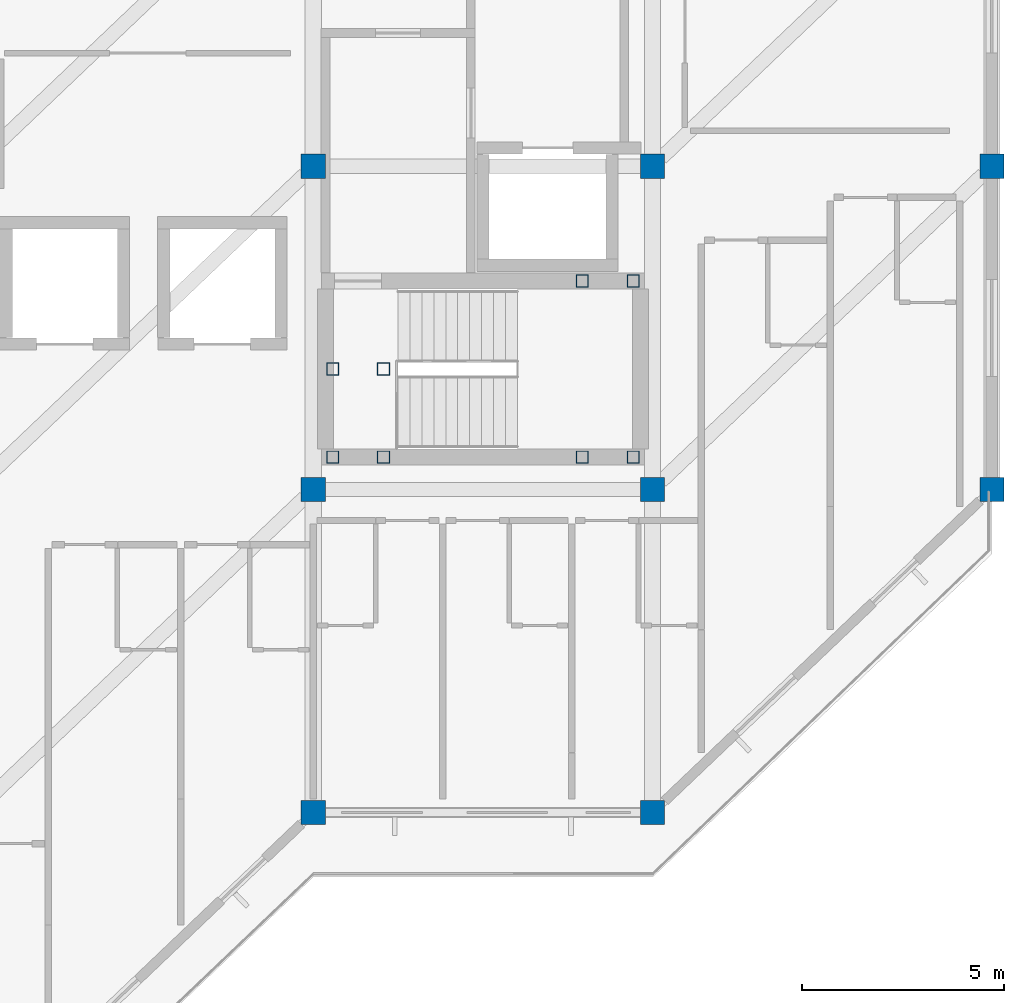
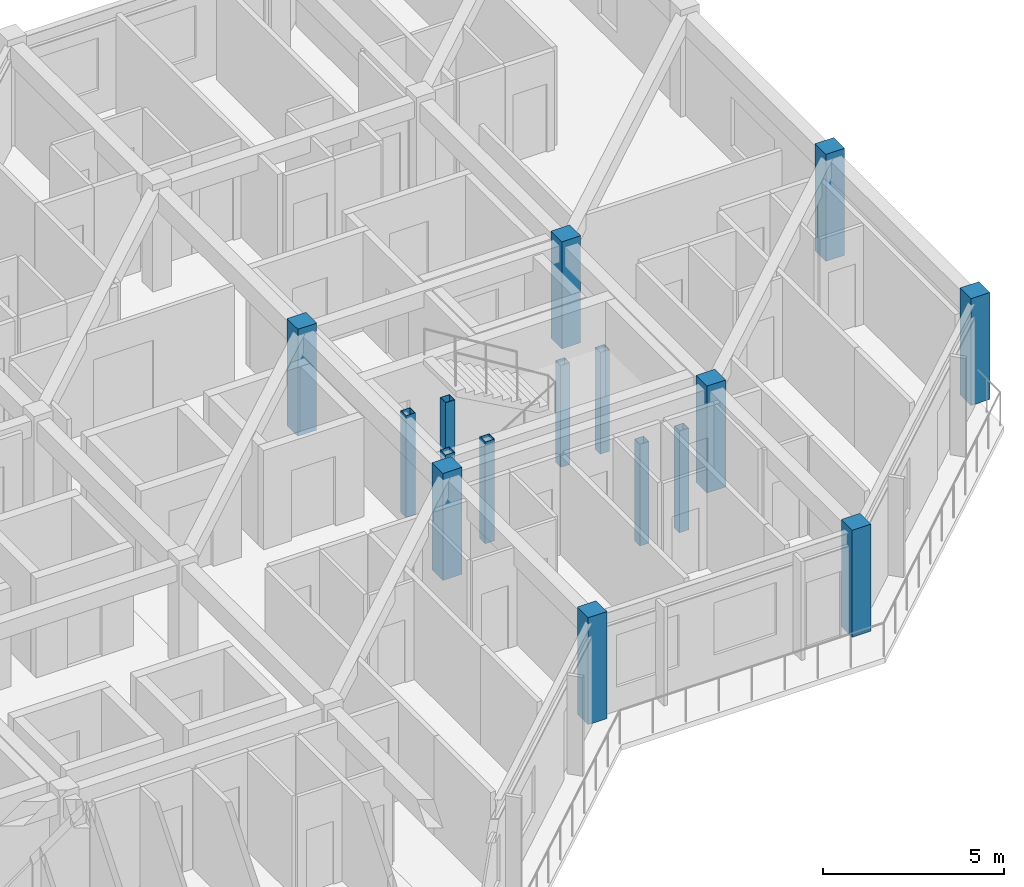
# One storey, part 2 of 14: 16 columns.
"""IFC4 building model written with IfcOpenShell, lengths in metres."""

from ifc_helpers import new_model, si_unit, direction, frame, origin, origin_2d, place, context, subcontext, project, spatial, rectangle, hollow_rectangle, extrude, material, material_profile, profile_set, type_object, element, save


model = new_model("IFC4")

# Units and contexts
model_context = context("Model", 3, precision=1e-05, world=origin(), true_north=direction((0.0, 1.0)))
body_context = subcontext(model_context, "Body", "Model", "MODEL_VIEW")
ifc_project = project(units=[si_unit("LENGTHUNIT", "METRE"), si_unit("AREAUNIT", "SQUARE_METRE"), si_unit("VOLUMEUNIT", "CUBIC_METRE"), si_unit("PLANEANGLEUNIT", "RADIAN"), si_unit("MASSUNIT", "GRAM", prefix="KILO")], contexts=[model_context])

# Site, building, storey
site_placement = place(None, origin())
site = spatial("IfcSite", under=ifc_project, at=site_placement, CompositionType="ELEMENT")
building_placement = place(site_placement, origin())
building = spatial("IfcBuilding", under=site, at=building_placement, Name="Naruveol Harbour Congress Hotel", CompositionType="ELEMENT")
storey_placement = place(building_placement, frame((0.0, 0.0, 39.60009765625)))
storey = spatial("IfcBuildingStorey", under=building, at=storey_placement, Name="L09", CompositionType="ELEMENT", Elevation=39.60009765625)

# Columns
ifc_material_1 = material(Name="Concrete C40/50", Category="concrete")
ifc_material_profile_1 = material_profile(ifc_material_1, rectangle(XDim=0.60009765625, YDim=0.60009765625, at=origin_2d()), Name="RC-600x600")
ifc_profile_set_1 = profile_set([ifc_material_profile_1], Name="Concrete C40/50")
column_type_1 = type_object("IfcColumnType", Name="RC UPPER COLUMN 600X600", PredefinedType="COLUMN", material=ifc_profile_set_1)
for number, where, z_axis, x_axis, name in (
    (1, (151.199951171875, 8.0, 0.0), (0.0, 0.0, 1.0), (1.0, 0.0, 0.0), "Column C-600 L09 (151.2,8.0)"),
    (2, (151.199951171875, 24.0, 0.0), (0.0, 0.0, 1.0), (1.0, 0.0, 0.0), "Column C-600 L09 (151.2,24.0)"),
    (3, (159.60009765625, 8.0, 0.0), (0.0, 0.0, 1.0), (1.0, 0.0, 0.0), "Column C-600 L09 (159.6,8.0)"),
    (4, (159.60009765625, 24.0, 0.0), (0.0, 0.0, 1.0), (1.0, 0.0, 0.0), "Column C-600 L09 (159.6,24.0)"),
    (5, (168.0, 16.0, 0.0), (0.0, 0.0, 1.0), (1.0, 0.0, 0.0), "Column C-600 L09 (168.0,16.0)"),
    (6, (151.199951171875, 16.0, 0.0), (0.0, 0.0, 1.0), (1.0, 0.0, 0.0), "Planted hotel column C-600 L09 S4/J1"),
    (7, (159.60009765625, 16.0, 0.0), (0.0, 0.0, 1.0), (1.0, 0.0, 0.0), "Planted hotel column C-600 L09 S5/J1"),
    (8, (168.0, 24.0, 0.0), (0.0, 0.0, 1.0), (1.0, 0.0, 0.0), "Planted hotel column C-600 L09 S6/J1"),
):
    element("IfcColumn", number, at=place(storey_placement, frame(where, z_axis=z_axis, x_axis=x_axis)), inside=storey, type_object=column_type_1, Name=name, PredefinedType="COLUMN", context=body_context, shape_type="SweptSolid", body=[
        extrude(rectangle(XDim=0.60009765625, YDim=0.60009765625, at=origin_2d()), origin(), (0.0, 0.0, 1.0), 3.599853515625),
    ])
ifc_material_2 = material(Name="Steel SN490", Category="steel")
ifc_material_profile_2 = material_profile(ifc_material_2, hollow_rectangle(XDim=0.300048828125, YDim=0.300048828125, WallThickness=0.011962890625, at=origin_2d()), Name="SHS-300x300x12")
ifc_profile_set_2 = profile_set([ifc_material_profile_2], Name="Steel SN490")
column_type_2 = type_object("IfcColumnType", Name="STEEL COLONNADE POST SHS300", PredefinedType="COLUMN", material=ifc_profile_set_2)
for number, where, z_axis, x_axis, name in (
    (9, (151.679931640625, 16.800048828125, 0.0), (0.0, 0.0, 1.0), (1.0, 0.0, 0.0), "Stair landing support post ST2W #107"),
    (10, (151.679931640625, 18.97998046875, 0.0), (0.0, 0.0, 1.0), (1.0, 0.0, 0.0), "Stair landing support post ST2W #119"),
    (11, (152.93994140625, 16.800048828125, 0.0), (0.0, 0.0, 1.0), (1.0, 0.0, 0.0), "Stair landing support post ST2W #131"),
    (12, (152.93994140625, 18.97998046875, 0.0), (0.0, 0.0, 1.0), (1.0, 0.0, 0.0), "Stair landing support post ST2W #143"),
    (13, (157.860107421875, 16.800048828125, -1.800048828125), (0.0, 0.0, 1.0), (1.0, 0.0, 0.0), "Stair landing support post ST2E #155"),
    (14, (157.860107421875, 21.159912109375, -1.800048828125), (0.0, 0.0, 1.0), (1.0, 0.0, 0.0), "Stair landing support post ST2E #167"),
    (15, (159.1201171875, 16.800048828125, -1.800048828125), (0.0, 0.0, 1.0), (1.0, 0.0, 0.0), "Stair landing support post ST2E #179"),
    (16, (159.1201171875, 21.159912109375, -1.800048828125), (0.0, 0.0, 1.0), (1.0, 0.0, 0.0), "Stair landing support post ST2E #191"),
):
    element("IfcColumn", number, at=place(storey_placement, frame(where, z_axis=z_axis, x_axis=x_axis)), inside=storey, type_object=column_type_2, Name=name, PredefinedType="COLUMN", context=body_context, shape_type="SweptSolid", body=[
        extrude(hollow_rectangle(XDim=0.300048828125, YDim=0.300048828125, WallThickness=0.011962890625, at=origin_2d()), origin(), (0.0, 0.0, 1.0), 3.419921875),
    ])

save(model, "model.ifc")
